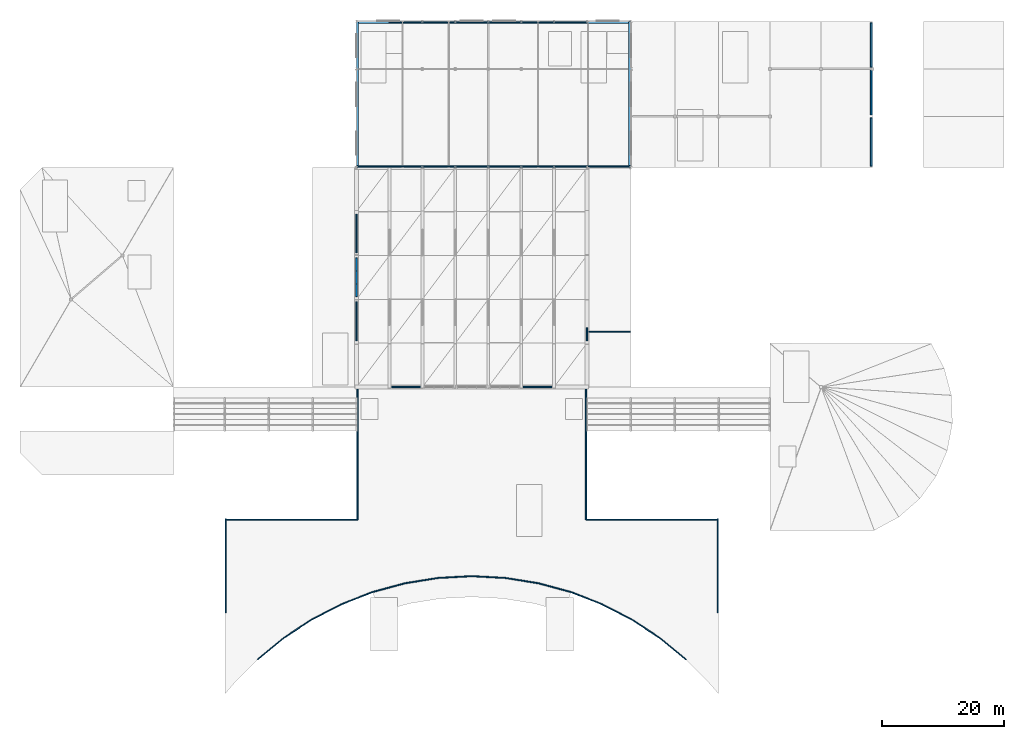
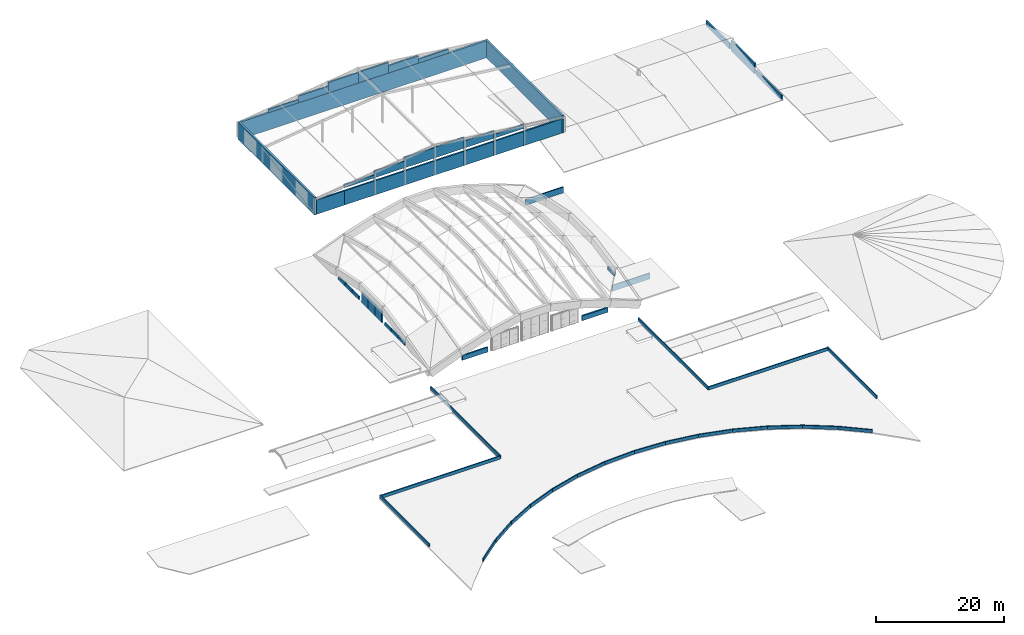
# One storey, part 25 of 27: 60 walls.
"""IFC4 building model written with IfcOpenShell, lengths in metres."""

from ifc_helpers import new_model, si_unit, direction, frame, frame_2d, origin, place, context, subcontext, project, spatial, rectangle, extrude, material, layer, layer_set, type_object, element, save


model = new_model("IFC4")

# Units and contexts
model_context = context("Model", 3, precision=1e-05, world=origin(), true_north=direction((0.0, 1.0)))
body_context = subcontext(model_context, "Body", "Model", "MODEL_VIEW")
ifc_project = project(units=[si_unit("LENGTHUNIT", "METRE"), si_unit("AREAUNIT", "SQUARE_METRE"), si_unit("VOLUMEUNIT", "CUBIC_METRE"), si_unit("PLANEANGLEUNIT", "RADIAN"), si_unit("MASSUNIT", "GRAM", prefix="KILO")], contexts=[model_context])

# Site, building, storey
site_placement = place(None, origin())
site = spatial("IfcSite", under=ifc_project, at=site_placement, CompositionType="ELEMENT")
building_placement = place(site_placement, origin())
building = spatial("IfcBuilding", under=site, at=building_placement, Name="Tazoul Stagehouse", CompositionType="ELEMENT")
storey_placement = place(building_placement, frame((0.0, 0.0, 24.89990234375)))
storey = spatial("IfcBuildingStorey", under=building, at=storey_placement, Name="RF", CompositionType="ELEMENT", Elevation=24.89990234375)

# Walls
ifc_material_1 = material(Name="Ochre Fired Clay Facing Brick Masonry", Category="masonry")
ifc_layer_1 = layer(ifc_material_1, 0.360107421875, Name="Ochre Fired Clay Facing Brick Masonry")
ifc_layer_set_1 = layer_set([ifc_layer_1], Name="Ochre Fired Clay Facing Brick Masonry")
wall_type_1 = type_object("IfcWallType", Name="Acoustic Stagehouse Masonry-Concrete Cavity Wall 360", PredefinedType="SOLIDWALL", material=ifc_layer_set_1)
for number, where, z_axis, x_axis, name in (
    (1, (57.780029296875, 87.800048828125, -0.239990234375), (0.0, 0.0, 1.0), (0.0, 1.0, 0.0), "RF Wall EW-360 (WALL-V2-W-RF-S1)"),
    (2, (102.419921875, 87.800048828125, -0.239990234375), (0.0, 0.0, 1.0), (0.0, 1.0, 0.0), "RF Wall EW-360 (WALL-V2-E-RF-S1)"),
):
    element("IfcWall", number, at=place(storey_placement, frame(where, z_axis=z_axis, x_axis=x_axis)), inside=storey, type_object=wall_type_1, Name=name, PredefinedType="SOLIDWALL", context=body_context, shape_type="SweptSolid", body=[
        extrude(rectangle(XDim=24.0, YDim=0.360107421875, at=frame_2d((12.0, 0.0))), origin(), (0.0, 0.0, 1.0), 3.2900390625),
    ])
wall_1_placement = place(storey_placement, frame((57.60009765625, 111.6201171875, -0.239990234375), z_axis=(0.0, 0.0, 1.0), x_axis=(1.0, 0.0, 0.0)))
element("IfcWall", 3, at=wall_1_placement, inside=storey, type_object=wall_type_1, Name="RF Wall EW-360 (WALL-V2-N-RF-S1)", PredefinedType="SOLIDWALL", context=body_context, shape_type="SweptSolid", body=[
    extrude(rectangle(XDim=45.0, YDim=0.360107421875, at=frame_2d((22.5, 0.0))), origin(), (0.0, 0.0, 1.0), 3.2900390625),
])
ifc_material_2 = material(Name="Precast concrete C40/50", Category="concrete")
ifc_layer_2 = layer(ifc_material_2, 0.280029296875, Name="Precast concrete C40/50")
ifc_layer_set_2 = layer_set([ifc_layer_2], Name="Precast concrete C40/50")
wall_type_2 = type_object("IfcWallType", Name="Insulated Precast Acoustic Cladding Wall 280", PredefinedType="SOLIDWALL", material=ifc_layer_set_2)
wall_2_placement = place(storey_placement, frame((57.60009765625, 59.419921875, -7.8798828125), z_axis=(0.0, 0.0, 1.0), x_axis=(0.0, 1.0, 0.0)))
element("IfcWall", 4, at=wall_2_placement, inside=storey, type_object=wall_type_2, Name="RF Wall EW-280 (WALL-V1-TYMP-W-B2-1)", PredefinedType="SOLIDWALL", context=body_context, shape_type="SweptSolid", body=[
    extrude(rectangle(XDim=2.1201171875, YDim=0.280029296875, at=frame_2d((1.06005859375, 0.0))), origin(), (0.0, 0.0, 1.0), 0.587158203125),
])
wall_3_placement = place(storey_placement, frame((57.60009765625, 61.5400390625, -7.8798828125), z_axis=(0.0, 0.0, 1.0), x_axis=(0.0, 1.0, 0.0)))
element("IfcWall", 5, at=wall_3_placement, inside=storey, type_object=wall_type_2, Name="RF Wall EW-280 (WALL-V1-TYMP-W-B2-2)", PredefinedType="SOLIDWALL", context=body_context, shape_type="SweptSolid", body=[
    extrude(rectangle(XDim=2.119873046875, YDim=0.280029296875, at=frame_2d((1.06005859375, 0.0))), origin(), (0.0, 0.0, 1.0), 0.587158203125),
])
wall_4_placement = place(storey_placement, frame((57.60009765625, 63.659912109375, -7.8798828125), z_axis=(0.0, 0.0, 1.0), x_axis=(0.0, 1.0, 0.0)))
element("IfcWall", 6, at=wall_4_placement, inside=storey, type_object=wall_type_2, Name="RF Wall EW-280 (WALL-V1-TYMP-W-B2-3)", PredefinedType="SOLIDWALL", context=body_context, shape_type="SweptSolid", body=[
    extrude(rectangle(XDim=2.1201171875, YDim=0.280029296875, at=frame_2d((1.06005859375, 0.0))), origin(), (0.0, 0.0, 1.0), 0.587158203125),
])
wall_5_placement = place(storey_placement, frame((57.60009765625, 66.6201171875, -7.8798828125), z_axis=(0.0, 0.0, 1.0), x_axis=(0.0, 1.0, 0.0)))
element("IfcWall", 7, at=wall_5_placement, inside=storey, type_object=wall_type_2, Name="RF Wall EW-280 (WALL-V1-TYMP-W-B3-1)", PredefinedType="SOLIDWALL", context=body_context, shape_type="SweptSolid", body=[
    extrude(rectangle(XDim=2.119873046875, YDim=0.280029296875, at=frame_2d((1.06005859375, 0.0))), origin(), (0.0, 0.0, 1.0), 2.05224609375),
])
wall_6_placement = place(storey_placement, frame((57.60009765625, 68.739990234375, -7.8798828125), z_axis=(0.0, 0.0, 1.0), x_axis=(0.0, 1.0, 0.0)))
element("IfcWall", 8, at=wall_6_placement, inside=storey, type_object=wall_type_2, Name="RF Wall EW-280 (WALL-V1-TYMP-W-B3-2)", PredefinedType="SOLIDWALL", context=body_context, shape_type="SweptSolid", body=[
    extrude(rectangle(XDim=2.1201171875, YDim=0.280029296875, at=frame_2d((1.06005859375, 0.0))), origin(), (0.0, 0.0, 1.0), 2.05224609375),
])
wall_7_placement = place(storey_placement, frame((57.60009765625, 70.860107421875, -7.8798828125), z_axis=(0.0, 0.0, 1.0), x_axis=(0.0, 1.0, 0.0)))
element("IfcWall", 9, at=wall_7_placement, inside=storey, type_object=wall_type_2, Name="RF Wall EW-280 (WALL-V1-TYMP-W-B3-3)", PredefinedType="SOLIDWALL", context=body_context, shape_type="SweptSolid", body=[
    extrude(rectangle(XDim=2.119873046875, YDim=0.280029296875, at=frame_2d((1.06005859375, 0.0))), origin(), (0.0, 0.0, 1.0), 2.05224609375),
])
wall_8_placement = place(storey_placement, frame((57.60009765625, 73.820068359375, -7.8798828125), z_axis=(0.0, 0.0, 1.0), x_axis=(0.0, 1.0, 0.0)))
element("IfcWall", 10, at=wall_8_placement, inside=storey, type_object=wall_type_2, Name="RF Wall EW-280 (WALL-V1-TYMP-W-B4-1)", PredefinedType="SOLIDWALL", context=body_context, shape_type="SweptSolid", body=[
    extrude(rectangle(XDim=2.119873046875, YDim=0.280029296875, at=frame_2d((1.06005859375, 0.0))), origin(), (0.0, 0.0, 1.0), 0.587158203125),
])
wall_9_placement = place(storey_placement, frame((57.60009765625, 75.93994140625, -7.8798828125), z_axis=(0.0, 0.0, 1.0), x_axis=(0.0, 1.0, 0.0)))
element("IfcWall", 11, at=wall_9_placement, inside=storey, type_object=wall_type_2, Name="RF Wall EW-280 (WALL-V1-TYMP-W-B4-2)", PredefinedType="SOLIDWALL", context=body_context, shape_type="SweptSolid", body=[
    extrude(rectangle(XDim=2.1201171875, YDim=0.280029296875, at=frame_2d((1.06005859375, 0.0))), origin(), (0.0, 0.0, 1.0), 0.587158203125),
])
wall_10_placement = place(storey_placement, frame((57.60009765625, 78.06005859375, -7.8798828125), z_axis=(0.0, 0.0, 1.0), x_axis=(0.0, 1.0, 0.0)))
element("IfcWall", 12, at=wall_10_placement, inside=storey, type_object=wall_type_2, Name="RF Wall EW-280 (WALL-V1-TYMP-W-B4-3)", PredefinedType="SOLIDWALL", context=body_context, shape_type="SweptSolid", body=[
    extrude(rectangle(XDim=2.119873046875, YDim=0.280029296875, at=frame_2d((1.06005859375, 0.0))), origin(), (0.0, 0.0, 1.0), 0.587158203125),
])
wall_11_placement = place(storey_placement, frame((95.39990234375, 59.419921875, -7.8798828125), z_axis=(0.0, 0.0, 1.0), x_axis=(0.0, 1.0, 0.0)))
element("IfcWall", 13, at=wall_11_placement, inside=storey, type_object=wall_type_2, Name="RF Wall EW-280 (WALL-V1-TYMP-E-B2-1)", PredefinedType="SOLIDWALL", context=body_context, shape_type="SweptSolid", body=[
    extrude(rectangle(XDim=2.1201171875, YDim=0.280029296875, at=frame_2d((1.06005859375, 0.0))), origin(), (0.0, 0.0, 1.0), 0.587158203125),
])
for number, where, z_axis, x_axis, name in (
    (14, (63.3798828125, 51.800048828125, -8.0498046875), (0.0, 0.0, 1.0), (1.0, 0.0, 0.0), "RF Wall EW-280 (WALL-V1-TYMP-S-B2)"),
    (15, (84.97998046875, 51.800048828125, -8.0498046875), (0.0, 0.0, 1.0), (1.0, 0.0, 0.0), "RF Wall EW-280 (WALL-V1-TYMP-S-B6)"),
):
    element("IfcWall", number, at=place(storey_placement, frame(where, z_axis=z_axis, x_axis=x_axis)), inside=storey, type_object=wall_type_2, Name=name, PredefinedType="SOLIDWALL", context=body_context, shape_type="SweptSolid", body=[
        extrude(rectangle(XDim=4.64013671875, YDim=0.280029296875, at=frame_2d((2.320068359375, 0.0))), origin(), (0.0, 0.0, 1.0), 0.89990234375),
    ])
for number, where, z_axis, x_axis, name in (
    (16, (57.60009765625, 87.97998046875, -0.239990234375), (0.0, 0.0, 1.0), (1.0, 0.0, 0.0), "RF Wall EW-280 (WALL-V2-S-RF-B1-S1)"),
    (17, (63.0, 87.97998046875, -0.239990234375), (0.0, 0.0, 1.0), (1.0, 0.0, 0.0), "RF Wall EW-280 (WALL-V2-S-RF-B2-S1)"),
):
    element("IfcWall", number, at=place(storey_placement, frame(where, z_axis=z_axis, x_axis=x_axis)), inside=storey, type_object=wall_type_2, Name=name, PredefinedType="SOLIDWALL", context=body_context, shape_type="SweptSolid", body=[
        extrude(rectangle(XDim=5.39990234375, YDim=0.280029296875, at=frame_2d((2.699951171875, 0.0))), origin(), (0.0, 0.0, 1.0), 2.7001953125),
    ])
wall_12_placement = place(storey_placement, frame((68.39990234375, 87.97998046875, -0.239990234375), z_axis=(0.0, 0.0, 1.0), x_axis=(1.0, 0.0, 0.0)))
element("IfcWall", 18, at=wall_12_placement, inside=storey, type_object=wall_type_2, Name="RF Wall EW-280 (WALL-V2-S-RF-B3-S1)", PredefinedType="SOLIDWALL", context=body_context, shape_type="SweptSolid", body=[
    extrude(rectangle(XDim=5.400146484375, YDim=0.280029296875, at=frame_2d((2.7001953125, 0.0))), origin(), (0.0, 0.0, 1.0), 2.7001953125),
])
wall_13_placement = place(storey_placement, frame((73.800048828125, 87.97998046875, -0.239990234375), z_axis=(0.0, 0.0, 1.0), x_axis=(1.0, 0.0, 0.0)))
element("IfcWall", 19, at=wall_13_placement, inside=storey, type_object=wall_type_2, Name="RF Wall EW-280 (WALL-V2-S-RF-B4-S1)", PredefinedType="SOLIDWALL", context=body_context, shape_type="SweptSolid", body=[
    extrude(rectangle(XDim=5.39990234375, YDim=0.280029296875, at=frame_2d((2.699951171875, 0.0))), origin(), (0.0, 0.0, 1.0), 2.7001953125),
])
wall_14_placement = place(storey_placement, frame((79.199951171875, 87.97998046875, -0.239990234375), z_axis=(0.0, 0.0, 1.0), x_axis=(1.0, 0.0, 0.0)))
element("IfcWall", 20, at=wall_14_placement, inside=storey, type_object=wall_type_2, Name="RF Wall EW-280 (WALL-V2-S-RF-B5-S1)", PredefinedType="SOLIDWALL", context=body_context, shape_type="SweptSolid", body=[
    extrude(rectangle(XDim=5.400146484375, YDim=0.280029296875, at=frame_2d((2.7001953125, 0.0))), origin(), (0.0, 0.0, 1.0), 2.7001953125),
])
for number, where, z_axis, x_axis, name in (
    (21, (84.60009765625, 87.97998046875, -0.239990234375), (0.0, 0.0, 1.0), (1.0, 0.0, 0.0), "RF Wall EW-280 (WALL-V2-S-RF-B6-S1)"),
    (22, (90.0, 87.97998046875, -0.239990234375), (0.0, 0.0, 1.0), (1.0, 0.0, 0.0), "RF Wall EW-280 (WALL-V2-S-RF-B7-S1)"),
):
    element("IfcWall", number, at=place(storey_placement, frame(where, z_axis=z_axis, x_axis=x_axis)), inside=storey, type_object=wall_type_2, Name=name, PredefinedType="SOLIDWALL", context=body_context, shape_type="SweptSolid", body=[
        extrude(rectangle(XDim=5.39990234375, YDim=0.280029296875, at=frame_2d((2.699951171875, 0.0))), origin(), (0.0, 0.0, 1.0), 2.7001953125),
    ])
wall_15_placement = place(storey_placement, frame((95.39990234375, 87.97998046875, -0.239990234375), z_axis=(0.0, 0.0, 1.0), x_axis=(1.0, 0.0, 0.0)))
element("IfcWall", 23, at=wall_15_placement, inside=storey, type_object=wall_type_2, Name="RF Wall EW-280 (WALL-V2-S-RF-B8-S1)", PredefinedType="SOLIDWALL", context=body_context, shape_type="SweptSolid", body=[
    extrude(rectangle(XDim=7.2001953125, YDim=0.280029296875, at=frame_2d((3.60009765625, 0.0))), origin(), (0.0, 0.0, 1.0), 2.7001953125),
])
wall_16_placement = place(storey_placement, frame((63.0, 111.6201171875, 3.050048828125), z_axis=(0.0, 0.0, 1.0), x_axis=(1.0, 0.0, 0.0)))
element("IfcWall", 24, at=wall_16_placement, inside=storey, type_object=wall_type_2, Name="RF Wall EW-280 (WALL-V2-CRWN-N-2-S1)", PredefinedType="SOLIDWALL", context=body_context, shape_type="SweptSolid", body=[
    extrude(rectangle(XDim=5.39990234375, YDim=0.280029296875, at=frame_2d((2.699951171875, 0.0))), origin(), (0.0, 0.0, 1.0), 0.570068359375),
])
wall_17_placement = place(storey_placement, frame((68.39990234375, 111.6201171875, 3.050048828125), z_axis=(0.0, 0.0, 1.0), x_axis=(1.0, 0.0, 0.0)))
element("IfcWall", 25, at=wall_17_placement, inside=storey, type_object=wall_type_2, Name="RF Wall EW-280 (WALL-V2-CRWN-N-3-S1)", PredefinedType="SOLIDWALL", context=body_context, shape_type="SweptSolid", body=[
    extrude(rectangle(XDim=5.400146484375, YDim=0.280029296875, at=frame_2d((2.7001953125, 0.0))), origin(), (0.0, 0.0, 1.0), 1.27001953125),
])
wall_18_placement = place(storey_placement, frame((73.800048828125, 111.6201171875, 3.050048828125), z_axis=(0.0, 0.0, 1.0), x_axis=(1.0, 0.0, 0.0)))
element("IfcWall", 26, at=wall_18_placement, inside=storey, type_object=wall_type_2, Name="RF Wall EW-280 (WALL-V2-CRWN-N-4-S1)", PredefinedType="SOLIDWALL", context=body_context, shape_type="SweptSolid", body=[
    extrude(rectangle(XDim=5.39990234375, YDim=0.280029296875, at=frame_2d((2.699951171875, 0.0))), origin(), (0.0, 0.0, 1.0), 1.969970703125),
])
wall_19_placement = place(storey_placement, frame((79.199951171875, 111.6201171875, 3.050048828125), z_axis=(0.0, 0.0, 1.0), x_axis=(1.0, 0.0, 0.0)))
element("IfcWall", 27, at=wall_19_placement, inside=storey, type_object=wall_type_2, Name="RF Wall EW-280 (WALL-V2-CRWN-N-5-S1)", PredefinedType="SOLIDWALL", context=body_context, shape_type="SweptSolid", body=[
    extrude(rectangle(XDim=5.400146484375, YDim=0.280029296875, at=frame_2d((2.7001953125, 0.0))), origin(), (0.0, 0.0, 1.0), 2.02392578125),
])
wall_20_placement = place(storey_placement, frame((84.60009765625, 111.6201171875, 3.050048828125), z_axis=(0.0, 0.0, 1.0), x_axis=(1.0, 0.0, 0.0)))
element("IfcWall", 28, at=wall_20_placement, inside=storey, type_object=wall_type_2, Name="RF Wall EW-280 (WALL-V2-CRWN-N-6-S1)", PredefinedType="SOLIDWALL", context=body_context, shape_type="SweptSolid", body=[
    extrude(rectangle(XDim=5.39990234375, YDim=0.280029296875, at=frame_2d((2.699951171875, 0.0))), origin(), (0.0, 0.0, 1.0), 1.377685546875),
])
wall_21_placement = place(storey_placement, frame((90.0, 111.6201171875, 3.050048828125), z_axis=(0.0, 0.0, 1.0), x_axis=(1.0, 0.0, 0.0)))
element("IfcWall", 29, at=wall_21_placement, inside=storey, type_object=wall_type_2, Name="RF Wall EW-280 (WALL-V2-CRWN-N-7-S1)", PredefinedType="SOLIDWALL", context=body_context, shape_type="SweptSolid", body=[
    extrude(rectangle(XDim=5.39990234375, YDim=0.280029296875, at=frame_2d((2.699951171875, 0.0))), origin(), (0.0, 0.0, 1.0), 0.7314453125),
])
wall_22_placement = place(storey_placement, frame((63.0, 87.97998046875, 3.050048828125), z_axis=(0.0, 0.0, 1.0), x_axis=(1.0, 0.0, 0.0)))
element("IfcWall", 30, at=wall_22_placement, inside=storey, type_object=wall_type_2, Name="RF Wall EW-280 (WALL-V2-CRWN-S-2-S1)", PredefinedType="SOLIDWALL", context=body_context, shape_type="SweptSolid", body=[
    extrude(rectangle(XDim=5.39990234375, YDim=0.280029296875, at=frame_2d((2.699951171875, 0.0))), origin(), (0.0, 0.0, 1.0), 0.570068359375),
])
wall_23_placement = place(storey_placement, frame((68.39990234375, 87.97998046875, 3.050048828125), z_axis=(0.0, 0.0, 1.0), x_axis=(1.0, 0.0, 0.0)))
element("IfcWall", 31, at=wall_23_placement, inside=storey, type_object=wall_type_2, Name="RF Wall EW-280 (WALL-V2-CRWN-S-3-S1)", PredefinedType="SOLIDWALL", context=body_context, shape_type="SweptSolid", body=[
    extrude(rectangle(XDim=5.400146484375, YDim=0.280029296875, at=frame_2d((2.7001953125, 0.0))), origin(), (0.0, 0.0, 1.0), 1.27001953125),
])
wall_24_placement = place(storey_placement, frame((73.800048828125, 87.97998046875, 3.050048828125), z_axis=(0.0, 0.0, 1.0), x_axis=(1.0, 0.0, 0.0)))
element("IfcWall", 32, at=wall_24_placement, inside=storey, type_object=wall_type_2, Name="RF Wall EW-280 (WALL-V2-CRWN-S-4-S1)", PredefinedType="SOLIDWALL", context=body_context, shape_type="SweptSolid", body=[
    extrude(rectangle(XDim=5.39990234375, YDim=0.280029296875, at=frame_2d((2.699951171875, 0.0))), origin(), (0.0, 0.0, 1.0), 1.969970703125),
])
wall_25_placement = place(storey_placement, frame((79.199951171875, 87.97998046875, 3.050048828125), z_axis=(0.0, 0.0, 1.0), x_axis=(1.0, 0.0, 0.0)))
element("IfcWall", 33, at=wall_25_placement, inside=storey, type_object=wall_type_2, Name="RF Wall EW-280 (WALL-V2-CRWN-S-5-S1)", PredefinedType="SOLIDWALL", context=body_context, shape_type="SweptSolid", body=[
    extrude(rectangle(XDim=5.400146484375, YDim=0.280029296875, at=frame_2d((2.7001953125, 0.0))), origin(), (0.0, 0.0, 1.0), 2.02392578125),
])
wall_26_placement = place(storey_placement, frame((84.60009765625, 87.97998046875, 3.050048828125), z_axis=(0.0, 0.0, 1.0), x_axis=(1.0, 0.0, 0.0)))
element("IfcWall", 34, at=wall_26_placement, inside=storey, type_object=wall_type_2, Name="RF Wall EW-280 (WALL-V2-CRWN-S-6-S1)", PredefinedType="SOLIDWALL", context=body_context, shape_type="SweptSolid", body=[
    extrude(rectangle(XDim=5.39990234375, YDim=0.280029296875, at=frame_2d((2.699951171875, 0.0))), origin(), (0.0, 0.0, 1.0), 1.377685546875),
])
wall_27_placement = place(storey_placement, frame((90.0, 87.97998046875, 3.050048828125), z_axis=(0.0, 0.0, 1.0), x_axis=(1.0, 0.0, 0.0)))
element("IfcWall", 35, at=wall_27_placement, inside=storey, type_object=wall_type_2, Name="RF Wall EW-280 (WALL-V2-CRWN-S-7-S1)", PredefinedType="SOLIDWALL", context=body_context, shape_type="SweptSolid", body=[
    extrude(rectangle(XDim=5.39990234375, YDim=0.280029296875, at=frame_2d((2.699951171875, 0.0))), origin(), (0.0, 0.0, 1.0), 0.7314453125),
])
wall_28_placement = place(storey_placement, frame((142.02001953125, 88.030029296875, -8.039794921875), z_axis=(0.0, 0.0, 1.0), x_axis=(0.0, 1.0, 0.0)))
element("IfcWall", 36, at=wall_28_placement, inside=storey, type_object=wall_type_2, Name="RF Wall EW-280 (WALL-V3-VAULT-E-1)", PredefinedType="SOLIDWALL", context=body_context, shape_type="SweptSolid", body=[
    extrude(rectangle(XDim=7.93994140625, YDim=0.280029296875, at=frame_2d((3.969970703125, 0.0))), origin(), (0.0, 0.0, 1.0), 0.989990234375),
])
wall_29_placement = place(storey_placement, frame((142.02001953125, 96.429931640625, -8.039794921875), z_axis=(0.0, 0.0, 1.0), x_axis=(0.0, 1.0, 0.0)))
element("IfcWall", 37, at=wall_29_placement, inside=storey, type_object=wall_type_2, Name="RF Wall EW-280 (WALL-V3-VAULT-E-2)", PredefinedType="SOLIDWALL", context=body_context, shape_type="SweptSolid", body=[
    extrude(rectangle(XDim=7.340087890625, YDim=0.280029296875, at=frame_2d((3.669921875, 0.0))), origin(), (0.0, 0.0, 1.0), 1.989990234375),
])
wall_30_placement = place(storey_placement, frame((142.02001953125, 104.22998046875, -8.039794921875), z_axis=(0.0, 0.0, 1.0), x_axis=(0.0, 1.0, 0.0)))
element("IfcWall", 38, at=wall_30_placement, inside=storey, type_object=wall_type_2, Name="RF Wall EW-280 (WALL-V3-VAULT-E-3)", PredefinedType="SOLIDWALL", context=body_context, shape_type="SweptSolid", body=[
    extrude(rectangle(XDim=7.340087890625, YDim=0.280029296875, at=frame_2d((3.669921875, 0.0))), origin(), (0.0, 0.0, 1.0), 0.989990234375),
])
ifc_layer_3 = layer(ifc_material_2, 0.18994140625, Name="Precast concrete C40/50")
ifc_layer_set_3 = layer_set([ifc_layer_3], Name="Precast concrete C40/50")
wall_type_3 = type_object("IfcWallType", Name="Roof Acoustic Parapet Upstand Wall 190", PredefinedType="PARAPET", material=ifc_layer_set_3)
for number, where, z_axis, x_axis, name in (
    (39, (95.679931640625, 60.85009765625, -11.699951171875), (0.0, 0.0, 1.0), (1.0, 0.0, 0.0), "RF Side Gallery Roof Parapet Wall PP-190 (NE-S)"),
    (40, (95.679931640625, 87.919921875, -11.699951171875), (0.0, 0.0, 1.0), (1.0, 0.0, 0.0), "RF Stagehouse Side Roof Parapet Wall PP-190 (NE-N)"),
):
    element("IfcWall", number, at=place(storey_placement, frame(where, z_axis=z_axis, x_axis=x_axis)), inside=storey, type_object=wall_type_3, Name=name, PredefinedType="PARAPET", context=body_context, shape_type="SweptSolid", body=[
        extrude(rectangle(XDim=6.820068359375, YDim=0.18994140625, at=frame_2d((3.41015625, 0.0))), origin(), (0.0, 0.0, 1.0), 1.1201171875),
    ])
wall_31_placement = place(storey_placement, frame((41.358154296875, 7.11328125, -11.699951171875), z_axis=(0.0, 0.0, 1.0), x_axis=(0.771862443056, 0.635789563456, 0.0)))
element("IfcWall", 41, at=wall_31_placement, inside=storey, type_object=wall_type_3, Name="RF Wall PP-190 (WALL-V5-PARAPET-CRES-C03)", PredefinedType="PARAPET", context=body_context, shape_type="SweptSolid", body=[
    extrude(rectangle(XDim=5.510009765625, YDim=0.18994140625, at=frame_2d((2.7548828125, 0.0))), origin(), (0.0, 0.0, 1.0), 0.60009765625),
])
wall_32_placement = place(storey_placement, frame((45.611083984375, 10.616455078125, -11.699951171875), z_axis=(0.0, 0.0, 1.0), x_axis=(0.834787412137, 0.550572408079, 0.0)))
element("IfcWall", 42, at=wall_32_placement, inside=storey, type_object=wall_type_3, Name="RF Wall PP-190 (WALL-V5-PARAPET-CRES-C04)", PredefinedType="PARAPET", context=body_context, shape_type="SweptSolid", body=[
    extrude(rectangle(XDim=5.509521484375, YDim=0.18994140625, at=frame_2d((2.7548828125, 0.0))), origin(), (0.0, 0.0, 1.0), 0.60009765625),
])
for number, where, z_axis, x_axis, name in (
    (43, (50.21044921875, 13.64990234375, -11.699951171875), (0.0, 0.0, 1.0), (0.888365365521, 0.459137209713, 0.0), "RF Wall PP-190 (WALL-V5-PARAPET-CRES-C05)"),
    (44, (55.105224609375, 16.1796875, -11.699951171875), (0.0, 0.0, 1.0), (0.931946449517, 0.362595939349, 0.0), "RF Wall PP-190 (WALL-V5-PARAPET-CRES-C06)"),
):
    element("IfcWall", number, at=place(storey_placement, frame(where, z_axis=z_axis, x_axis=x_axis)), inside=storey, type_object=wall_type_3, Name=name, PredefinedType="PARAPET", context=body_context, shape_type="SweptSolid", body=[
        extrude(rectangle(XDim=5.509765625, YDim=0.18994140625, at=frame_2d((2.7548828125, 0.0))), origin(), (0.0, 0.0, 1.0), 0.60009765625),
    ])
wall_33_placement = place(storey_placement, frame((60.239990234375, 18.177490234375, -11.699951171875), z_axis=(0.0, 0.0, 1.0), x_axis=(0.965092315166, 0.261909952479, 0.0)))
element("IfcWall", 45, at=wall_33_placement, inside=storey, type_object=wall_type_3, Name="RF Wall PP-190 (WALL-V5-PARAPET-CRES-C07)", PredefinedType="PARAPET", context=body_context, shape_type="SweptSolid", body=[
    extrude(rectangle(XDim=5.510009765625, YDim=0.18994140625, at=frame_2d((2.7548828125, 0.0))), origin(), (0.0, 0.0, 1.0), 0.60009765625),
])
wall_34_placement = place(storey_placement, frame((65.5576171875, 19.62060546875, -11.699951171875), z_axis=(0.0, 0.0, 1.0), x_axis=(0.9873802806, 0.158367236138, 0.0)))
element("IfcWall", 46, at=wall_34_placement, inside=storey, type_object=wall_type_3, Name="RF Wall PP-190 (WALL-V5-PARAPET-CRES-C08)", PredefinedType="PARAPET", context=body_context, shape_type="SweptSolid", body=[
    extrude(rectangle(XDim=5.509765625, YDim=0.18994140625, at=frame_2d((2.7548828125, 0.0))), origin(), (0.0, 0.0, 1.0), 0.60009765625),
])
for number, where, z_axis, x_axis, name in (
    (47, (70.997802734375, 20.4931640625, -11.699951171875), (0.0, 0.0, 1.0), (0.998597189501, 0.05294953372, 0.0), "RF Wall PP-190 (WALL-V5-PARAPET-CRES-C09)"),
    (48, (76.5, 20.784912109375, -11.699951171875), (0.0, 0.0, 1.0), (0.998597189501, -0.05294953372, 0.0), "RF Wall PP-190 (WALL-V5-PARAPET-CRES-C10)"),
):
    element("IfcWall", number, at=place(storey_placement, frame(where, z_axis=z_axis, x_axis=x_axis)), inside=storey, type_object=wall_type_3, Name=name, PredefinedType="PARAPET", context=body_context, shape_type="SweptSolid", body=[
        extrude(rectangle(XDim=5.510009765625, YDim=0.18994140625, at=frame_2d((2.7548828125, 0.0))), origin(), (0.0, 0.0, 1.0), 0.60009765625),
    ])
wall_35_placement = place(storey_placement, frame((82.002197265625, 20.4931640625, -11.699951171875), z_axis=(0.0, 0.0, 1.0), x_axis=(0.9873802806, -0.158367236138, 0.0)))
element("IfcWall", 49, at=wall_35_placement, inside=storey, type_object=wall_type_3, Name="RF Wall PP-190 (WALL-V5-PARAPET-CRES-C11)", PredefinedType="PARAPET", context=body_context, shape_type="SweptSolid", body=[
    extrude(rectangle(XDim=5.509765625, YDim=0.18994140625, at=frame_2d((2.7548828125, 0.0))), origin(), (0.0, 0.0, 1.0), 0.60009765625),
])
wall_36_placement = place(storey_placement, frame((87.4423828125, 19.62060546875, -11.699951171875), z_axis=(0.0, 0.0, 1.0), x_axis=(0.965092315166, -0.261909952479, 0.0)))
element("IfcWall", 50, at=wall_36_placement, inside=storey, type_object=wall_type_3, Name="RF Wall PP-190 (WALL-V5-PARAPET-CRES-C12)", PredefinedType="PARAPET", context=body_context, shape_type="SweptSolid", body=[
    extrude(rectangle(XDim=5.510009765625, YDim=0.18994140625, at=frame_2d((2.7548828125, 0.0))), origin(), (0.0, 0.0, 1.0), 0.60009765625),
])
for number, where, z_axis, x_axis, name in (
    (51, (92.760009765625, 18.177490234375, -11.699951171875), (0.0, 0.0, 1.0), (0.931946449517, -0.362595939349, 0.0), "RF Wall PP-190 (WALL-V5-PARAPET-CRES-C13)"),
    (52, (97.894775390625, 16.1796875, -11.699951171875), (0.0, 0.0, 1.0), (0.888365365521, -0.459137209713, 0.0), "RF Wall PP-190 (WALL-V5-PARAPET-CRES-C14)"),
):
    element("IfcWall", number, at=place(storey_placement, frame(where, z_axis=z_axis, x_axis=x_axis)), inside=storey, type_object=wall_type_3, Name=name, PredefinedType="PARAPET", context=body_context, shape_type="SweptSolid", body=[
        extrude(rectangle(XDim=5.509765625, YDim=0.18994140625, at=frame_2d((2.7548828125, 0.0))), origin(), (0.0, 0.0, 1.0), 0.60009765625),
    ])
wall_37_placement = place(storey_placement, frame((102.78955078125, 13.64990234375, -11.699951171875), z_axis=(0.0, 0.0, 1.0), x_axis=(0.834787412137, -0.550572408079, 0.0)))
element("IfcWall", 53, at=wall_37_placement, inside=storey, type_object=wall_type_3, Name="RF Wall PP-190 (WALL-V5-PARAPET-CRES-C15)", PredefinedType="PARAPET", context=body_context, shape_type="SweptSolid", body=[
    extrude(rectangle(XDim=5.509521484375, YDim=0.18994140625, at=frame_2d((2.7548828125, 0.0))), origin(), (0.0, 0.0, 1.0), 0.60009765625),
])
wall_38_placement = place(storey_placement, frame((107.388916015625, 10.616455078125, -11.699951171875), z_axis=(0.0, 0.0, 1.0), x_axis=(0.771862443056, -0.635789563456, 0.0)))
element("IfcWall", 54, at=wall_38_placement, inside=storey, type_object=wall_type_3, Name="RF Wall PP-190 (WALL-V5-PARAPET-CRES-C16)", PredefinedType="PARAPET", context=body_context, shape_type="SweptSolid", body=[
    extrude(rectangle(XDim=5.510009765625, YDim=0.18994140625, at=frame_2d((2.7548828125, 0.0))), origin(), (0.0, 0.0, 1.0), 0.60009765625),
])
for number, where, z_axis, x_axis, name in (
    (55, (36.159912109375, 14.820068359375, -11.699951171875), (0.0, 0.0, 1.0), (0.0, 1.0, 0.0), "RF Wall PP-190 (WALL-V5-PARAPET-RET-W)"),
    (56, (116.840087890625, 14.820068359375, -11.699951171875), (0.0, 0.0, 1.0), (0.0, 1.0, 0.0), "RF Wall PP-190 (WALL-V5-PARAPET-RET-E)"),
):
    element("IfcWall", number, at=place(storey_placement, frame(where, z_axis=z_axis, x_axis=x_axis)), inside=storey, type_object=wall_type_3, Name=name, PredefinedType="PARAPET", context=body_context, shape_type="SweptSolid", body=[
        extrude(rectangle(XDim=15.3798828125, YDim=0.18994140625, at=frame_2d((7.68994140625, 0.0))), origin(), (0.0, 0.0, 1.0), 0.60009765625),
    ])
for number, where, z_axis, x_axis, name in (
    (57, (36.159912109375, 30.0400390625, -11.699951171875), (0.0, 0.0, 1.0), (1.0, 0.0, 0.0), "RF Wall PP-190 (WALL-V5-PARAPET-WESTSIDE)"),
    (58, (95.239990234375, 30.0400390625, -11.699951171875), (0.0, 0.0, 1.0), (1.0, 0.0, 0.0), "RF Wall PP-190 (WALL-V5-PARAPET-EASTSIDE)"),
):
    element("IfcWall", number, at=place(storey_placement, frame(where, z_axis=z_axis, x_axis=x_axis)), inside=storey, type_object=wall_type_3, Name=name, PredefinedType="PARAPET", context=body_context, shape_type="SweptSolid", body=[
        extrude(rectangle(XDim=21.60009765625, YDim=0.18994140625, at=frame_2d((10.800048828125, 0.0))), origin(), (0.0, 0.0, 1.0), 0.60009765625),
    ])
for number, where, z_axis, x_axis, name in (
    (59, (57.760009765625, 30.0400390625, -11.699951171875), (0.0, 0.0, 1.0), (0.0, 1.0, 0.0), "RF Wall PP-190 (WALL-V5-PARAPET-WESTLINK)"),
    (60, (95.239990234375, 30.0400390625, -11.699951171875), (0.0, 0.0, 1.0), (0.0, 1.0, 0.0), "RF Wall PP-190 (WALL-V5-PARAPET-EASTLINK)"),
):
    element("IfcWall", number, at=place(storey_placement, frame(where, z_axis=z_axis, x_axis=x_axis)), inside=storey, type_object=wall_type_3, Name=name, PredefinedType="PARAPET", context=body_context, shape_type="SweptSolid", body=[
        extrude(rectangle(XDim=21.760009765625, YDim=0.18994140625, at=frame_2d((10.8798828125, 0.0))), origin(), (0.0, 0.0, 1.0), 0.60009765625),
    ])

save(model, "model.ifc")
